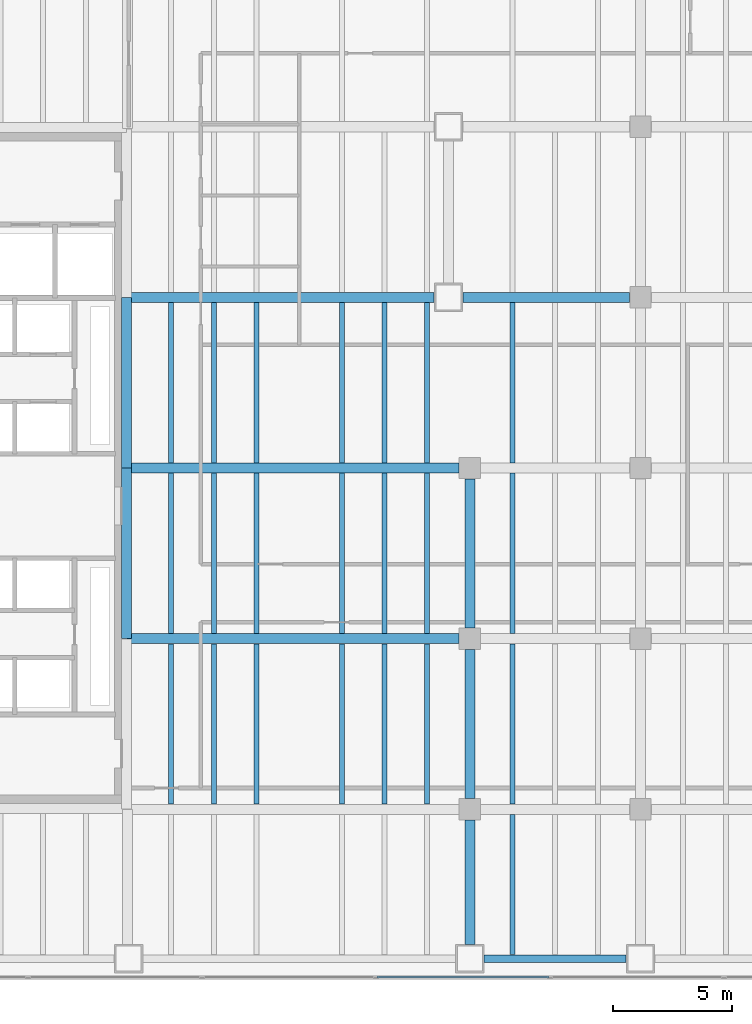
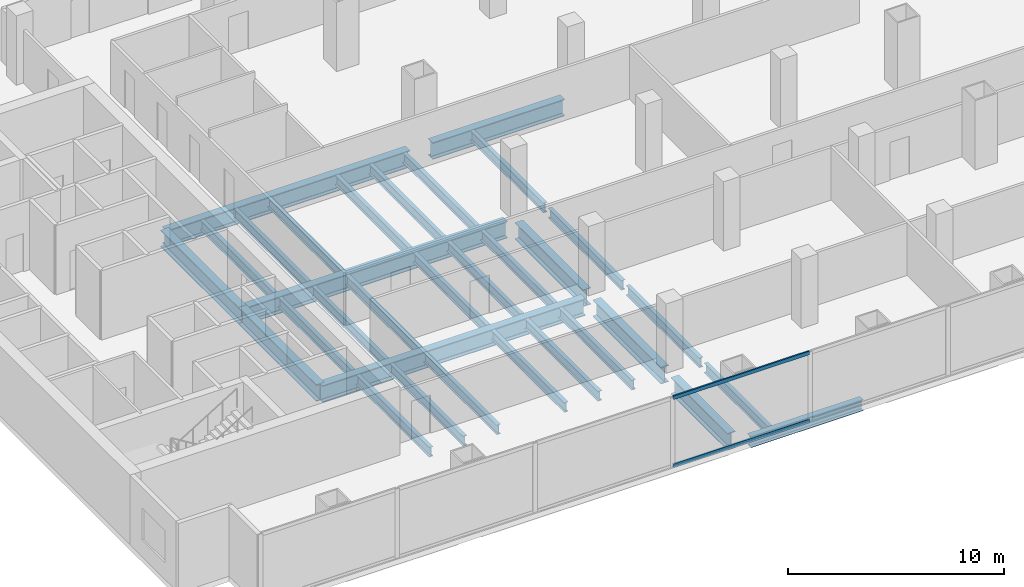
# One storey, part 4 of 29: 32 beams, 2 members, 1 element without a shape of its own.
"""IFC4 building model written with IfcOpenShell, lengths in metres."""

from ifc_helpers import new_model, si_unit, direction, frame, origin, origin_2d, place, context, subcontext, project, spatial, hollow_rectangle, i_section, extrude, material, material_profile, profile_set, type_object, element, aggregate, save


model = new_model("IFC4")

# Units and contexts
model_context = context("Model", 3, precision=1e-05, world=origin(), true_north=direction((0.0, 1.0)))
body_context = subcontext(model_context, "Body", "Model", "MODEL_VIEW")
ifc_project = project(units=[si_unit("LENGTHUNIT", "METRE"), si_unit("AREAUNIT", "SQUARE_METRE"), si_unit("VOLUMEUNIT", "CUBIC_METRE"), si_unit("PLANEANGLEUNIT", "RADIAN"), si_unit("MASSUNIT", "GRAM", prefix="KILO")], contexts=[model_context])

# Site, building, storey
site_placement = place(None, origin())
site = spatial("IfcSite", under=ifc_project, at=site_placement, CompositionType="ELEMENT")
building_placement = place(site_placement, origin())
building = spatial("IfcBuilding", under=site, at=building_placement, Name="Cobrela Telecom Tower", CompositionType="ELEMENT")
storey_placement = place(building_placement, frame((0.0, 0.0, 13.64990234375)))
storey = spatial("IfcBuildingStorey", under=building, at=storey_placement, Name="L03", CompositionType="ELEMENT", Elevation=13.64990234375)

# Beams
ifc_material_1 = material(Name="Steel ASTM A992 Grade 50", Category="steel")
ifc_material_profile_1 = material_profile(ifc_material_1, i_section(OverallWidth=0.424072265625, OverallDepth=0.947021484375, WebThickness=0.02392578125, FlangeThickness=0.042724609375, FilletRadius=0.02392578125, at=origin_2d()), Name="W36X302")
ifc_profile_set_1 = profile_set([ifc_material_profile_1], Name="Steel ASTM A992 Grade 50")
beam_type_1 = type_object("IfcBeamType", Name="BM-GIRD-01", PredefinedType="USERDEFINED", material=ifc_profile_set_1)
for number, where, z_axis, x_axis, name in (
    (1, (14.324951171875, 14.39990234375, -0.7734375), (1.0, 0.0, 0.0), (0.0, 1.0, 0.0), "L03 Primary Girder X20"),
    (2, (14.324951171875, 21.60009765625, -0.7734375), (1.0, 0.0, 0.0), (0.0, 1.0, 0.0), "L03 Primary Girder X29"),
):
    element("IfcBeam", number, at=place(storey_placement, frame(where, z_axis=z_axis, x_axis=x_axis)), inside=storey, type_object=beam_type_1, Name=name, ObjectType="GIRDER", PredefinedType="USERDEFINED", context=body_context, shape_type="SweptSolid", body=[
        extrude(i_section(OverallWidth=0.424072265625, OverallDepth=0.947021484375, WebThickness=0.02392578125, FlangeThickness=0.042724609375, FilletRadius=0.02392578125, at=origin_2d()), origin(), (0.0, 0.0, 1.0), 14.02001953125),
    ])
beam_1_placement = place(storey_placement, frame((14.324951171875, 28.800048828125, -0.7734375), z_axis=(1.0, 0.0, 0.0), x_axis=(0.0, 1.0, 0.0)))
element("IfcBeam", 3, at=beam_1_placement, inside=storey, type_object=beam_type_1, Name="L03 Primary Girder X38", ObjectType="GIRDER", PredefinedType="USERDEFINED", context=body_context, shape_type="SweptSolid", body=[
    extrude(i_section(OverallWidth=0.424072265625, OverallDepth=0.947021484375, WebThickness=0.02392578125, FlangeThickness=0.042724609375, FilletRadius=0.02392578125, at=origin_2d()), origin(), (0.0, 0.0, 1.0), 12.969970703125),
])
beam_2_placement = place(storey_placement, frame((28.5048828125, 28.800048828125, -0.7734375), z_axis=(1.0, 0.0, 0.0), x_axis=(0.0, 1.0, 0.0)))
element("IfcBeam", 4, at=beam_2_placement, inside=storey, type_object=beam_type_1, Name="L03 Primary Girder X39", ObjectType="GIRDER", PredefinedType="USERDEFINED", context=body_context, shape_type="SweptSolid", body=[
    extrude(i_section(OverallWidth=0.424072265625, OverallDepth=0.947021484375, WebThickness=0.02392578125, FlangeThickness=0.042724609375, FilletRadius=0.02392578125, at=origin_2d()), origin(), (0.0, 0.0, 1.0), 7.0400390625),
])
for number, where, z_axis, x_axis, name in (
    (5, (14.320068359375, 14.405029296875, -0.7734375), (0.0, 1.0, 0.0), (-1.0, 0.0, 0.0), "L03 Primary Girder Y62"),
    (6, (14.320068359375, 21.60498046875, -0.7734375), (0.0, 1.0, 0.0), (-1.0, 0.0, 0.0), "L03 Primary Girder Y63"),
):
    element("IfcBeam", number, at=place(storey_placement, frame(where, z_axis=z_axis, x_axis=x_axis)), inside=storey, type_object=beam_type_1, Name=name, ObjectType="GIRDER", PredefinedType="USERDEFINED", context=body_context, shape_type="SweptSolid", body=[
        extrude(i_section(OverallWidth=0.424072265625, OverallDepth=0.947021484375, WebThickness=0.02392578125, FlangeThickness=0.042724609375, FilletRadius=0.02392578125, at=origin_2d()), origin(), (0.0, 0.0, 1.0), 7.18994140625),
    ])
beam_3_placement = place(storey_placement, frame((28.800048828125, 1.5048828125, -0.7734375), z_axis=(0.0, 1.0, 0.0), x_axis=(-1.0, 0.0, 0.0)))
element("IfcBeam", 7, at=beam_3_placement, inside=storey, type_object=beam_type_1, Name="L03 Primary Girder Y68", ObjectType="GIRDER", PredefinedType="USERDEFINED", context=body_context, shape_type="SweptSolid", body=[
    extrude(i_section(OverallWidth=0.424072265625, OverallDepth=0.947021484375, WebThickness=0.02392578125, FlangeThickness=0.042724609375, FilletRadius=0.02392578125, at=origin_2d()), origin(), (0.0, 0.0, 1.0), 5.240234375),
])
for number, where, z_axis, x_axis, name in (
    (8, (28.800048828125, 7.655029296875, -0.7734375), (0.0, 1.0, 0.0), (-1.0, 0.0, 0.0), "L03 Primary Girder Y69"),
    (9, (28.800048828125, 14.85498046875, -0.7734375), (0.0, 1.0, 0.0), (-1.0, 0.0, 0.0), "L03 Primary Girder Y70"),
):
    element("IfcBeam", number, at=place(storey_placement, frame(where, z_axis=z_axis, x_axis=x_axis)), inside=storey, type_object=beam_type_1, Name=name, ObjectType="GIRDER", PredefinedType="USERDEFINED", context=body_context, shape_type="SweptSolid", body=[
        extrude(i_section(OverallWidth=0.424072265625, OverallDepth=0.947021484375, WebThickness=0.02392578125, FlangeThickness=0.042724609375, FilletRadius=0.02392578125, at=origin_2d()), origin(), (0.0, 0.0, 1.0), 6.2900390625),
    ])
ifc_material_profile_2 = material_profile(ifc_material_1, i_section(OverallWidth=0.212890625, OverallDepth=0.549072265625, WebThickness=0.0146484375, FlangeThickness=0.023681640625, FilletRadius=0.013916015625, at=origin_2d()), Name="W21X93")
ifc_profile_set_2 = profile_set([ifc_material_profile_2], Name="Steel ASTM A992 Grade 50")
beam_type_2 = type_object("IfcBeamType", Name="BM-JOIST-01", PredefinedType="JOIST", material=ifc_profile_set_2)
for number, where, z_axis, x_axis, name in (
    (10, (16.199951171875, 7.4169921875, -0.574462890625), (0.0, 1.0, 0.0), (-1.0, 0.0, 0.0), "L03 Secondary Composite Floor Beam J14"),
    (11, (16.199951171875, 14.616943359375, -0.574462890625), (0.0, 1.0, 0.0), (-1.0, 0.0, 0.0), "L03 Secondary Composite Floor Beam J15"),
    (12, (16.199951171875, 21.81689453125, -0.574462890625), (0.0, 1.0, 0.0), (-1.0, 0.0, 0.0), "L03 Secondary Composite Floor Beam J16"),
    (13, (18.0, 7.4169921875, -0.574462890625), (0.0, 1.0, 0.0), (-1.0, 0.0, 0.0), "L03 Secondary Composite Floor Beam J21"),
    (14, (18.0, 14.616943359375, -0.574462890625), (0.0, 1.0, 0.0), (-1.0, 0.0, 0.0), "L03 Secondary Composite Floor Beam J22"),
    (15, (18.0, 21.81689453125, -0.574462890625), (0.0, 1.0, 0.0), (-1.0, 0.0, 0.0), "L03 Secondary Composite Floor Beam J23"),
    (16, (19.800048828125, 7.4169921875, -0.574462890625), (0.0, 1.0, 0.0), (-1.0, 0.0, 0.0), "L03 Secondary Composite Floor Beam J28"),
    (17, (19.800048828125, 14.616943359375, -0.574462890625), (0.0, 1.0, 0.0), (-1.0, 0.0, 0.0), "L03 Secondary Composite Floor Beam J29"),
    (18, (19.800048828125, 21.81689453125, -0.574462890625), (0.0, 1.0, 0.0), (-1.0, 0.0, 0.0), "L03 Secondary Composite Floor Beam J30"),
    (19, (23.39990234375, 7.4169921875, -0.574462890625), (0.0, 1.0, 0.0), (-1.0, 0.0, 0.0), "L03 Secondary Composite Floor Beam J35"),
    (20, (23.39990234375, 14.616943359375, -0.574462890625), (0.0, 1.0, 0.0), (-1.0, 0.0, 0.0), "L03 Secondary Composite Floor Beam J36"),
    (21, (23.39990234375, 21.81689453125, -0.574462890625), (0.0, 1.0, 0.0), (-1.0, 0.0, 0.0), "L03 Secondary Composite Floor Beam J37"),
    (22, (25.199951171875, 7.4169921875, -0.574462890625), (0.0, 1.0, 0.0), (-1.0, 0.0, 0.0), "L03 Secondary Composite Floor Beam J41"),
    (23, (25.199951171875, 14.616943359375, -0.574462890625), (0.0, 1.0, 0.0), (-1.0, 0.0, 0.0), "L03 Secondary Composite Floor Beam J42"),
    (24, (25.199951171875, 21.81689453125, -0.574462890625), (0.0, 1.0, 0.0), (-1.0, 0.0, 0.0), "L03 Secondary Composite Floor Beam J43"),
    (25, (27.0, 7.4169921875, -0.574462890625), (0.0, 1.0, 0.0), (-1.0, 0.0, 0.0), "L03 Secondary Composite Floor Beam J46"),
    (26, (27.0, 14.616943359375, -0.574462890625), (0.0, 1.0, 0.0), (-1.0, 0.0, 0.0), "L03 Secondary Composite Floor Beam J47"),
    (27, (27.0, 21.81689453125, -0.574462890625), (0.0, 1.0, 0.0), (-1.0, 0.0, 0.0), "L03 Secondary Composite Floor Beam J48"),
):
    element("IfcBeam", number, at=place(storey_placement, frame(where, z_axis=z_axis, x_axis=x_axis)), inside=storey, type_object=beam_type_2, Name=name, PredefinedType="JOIST", context=body_context, shape_type="SweptSolid", body=[
        extrude(i_section(OverallWidth=0.212890625, OverallDepth=0.549072265625, WebThickness=0.0146484375, FlangeThickness=0.023681640625, FilletRadius=0.013916015625, at=origin_2d()), origin(), (0.0, 0.0, 1.0), 6.76611328125),
    ])
beam_4_placement = place(storey_placement, frame((30.60009765625, 1.069091796875, -0.574462890625), z_axis=(0.0, 1.0, 0.0), x_axis=(-1.0, 0.0, 0.0)))
element("IfcBeam", 28, at=beam_4_placement, inside=storey, type_object=beam_type_2, Name="L03 Secondary Composite Floor Beam J51", PredefinedType="JOIST", context=body_context, shape_type="SweptSolid", body=[
    extrude(i_section(OverallWidth=0.212890625, OverallDepth=0.549072265625, WebThickness=0.0146484375, FlangeThickness=0.023681640625, FilletRadius=0.013916015625, at=origin_2d()), origin(), (0.0, 0.0, 1.0), 5.913818359375),
])
for number, where, z_axis, x_axis, name in (
    (29, (30.60009765625, 7.4169921875, -0.574462890625), (0.0, 1.0, 0.0), (-1.0, 0.0, 0.0), "L03 Secondary Composite Floor Beam J52"),
    (30, (30.60009765625, 14.616943359375, -0.574462890625), (0.0, 1.0, 0.0), (-1.0, 0.0, 0.0), "L03 Secondary Composite Floor Beam J53"),
    (31, (30.60009765625, 21.81689453125, -0.574462890625), (0.0, 1.0, 0.0), (-1.0, 0.0, 0.0), "L03 Secondary Composite Floor Beam J54"),
):
    element("IfcBeam", number, at=place(storey_placement, frame(where, z_axis=z_axis, x_axis=x_axis)), inside=storey, type_object=beam_type_2, Name=name, PredefinedType="JOIST", context=body_context, shape_type="SweptSolid", body=[
        extrude(i_section(OverallWidth=0.212890625, OverallDepth=0.549072265625, WebThickness=0.0146484375, FlangeThickness=0.023681640625, FilletRadius=0.013916015625, at=origin_2d()), origin(), (0.0, 0.0, 1.0), 6.76611328125),
    ])
ifc_material_profile_3 = material_profile(ifc_material_1, i_section(OverallWidth=0.327880859375, OverallDepth=0.6220703125, WebThickness=0.015380859375, FlangeThickness=0.0244140625, FilletRadius=0.014892578125, at=origin_2d()), Name="W24X131")
ifc_profile_set_3 = profile_set([ifc_material_profile_3], Name="Steel ASTM A992 Grade 50")
beam_type_3 = type_object("IfcBeamType", Name="BM-SPAND-01", PredefinedType="SPANDREL", material=ifc_profile_set_3)
beam_5_placement = place(storey_placement, frame((29.405029296875, 0.89990234375, -0.61083984375), z_axis=(1.0, 0.0, 0.0), x_axis=(0.0, 1.0, 0.0)))
element("IfcBeam", 32, at=beam_5_placement, inside=storey, type_object=beam_type_3, Name="L03 Perimeter Spandrel X03", PredefinedType="SPANDREL", context=body_context, shape_type="SweptSolid", body=[
    extrude(i_section(OverallWidth=0.327880859375, OverallDepth=0.6220703125, WebThickness=0.015380859375, FlangeThickness=0.0244140625, FilletRadius=0.014892578125, at=origin_2d()), origin(), (0.0, 0.0, 1.0), 5.989990234375),
])

# Curtain wall, members
ifc_material_2 = material(Name="Anodized Bronze Aluminium 6063-T6", Category="aluminium")
curtain_wall_type = type_object("IfcCurtainWallType", Name="CW-SYS-CONC", PredefinedType="USERDEFINED", material=ifc_material_2)
curtain_wall_placement = place(storey_placement, origin())
curtain_wall = element("IfcCurtainWall", 33, at=curtain_wall_placement, inside=storey, type_object=curtain_wall_type, Name="L03 Unitised Bronze Curtain Wall 17", ObjectType="UNITISED CURTAIN WALL", PredefinedType="USERDEFINED")
ifc_material_profile_4 = material_profile(ifc_material_2, hollow_rectangle(XDim=0.080078125, YDim=0.199951171875, WallThickness=0.00390625, at=origin_2d()), Name="ALU 80x200x4")
ifc_profile_set_4 = profile_set([ifc_material_profile_4], Name="Anodized Bronze Aluminium 6063-T6")
member_type = type_object("IfcMemberType", Name="CW-SYS-CONC-TRN", PredefinedType="USERDEFINED", material=ifc_profile_set_4)
member_1_placement = place(storey_placement, frame((32.147216796875, 0.1201171875, 0.0400390625), z_axis=(-1.0, 0.0, 0.0), x_axis=(0.0, -1.0, 0.0)))
member_1 = element("IfcMember", 34, at=member_1_placement, type_object=member_type, Name="CW-CONC transom 8.1", ObjectType="TRANSOM", PredefinedType="USERDEFINED", context=body_context, shape_type="SweptSolid", body=[
    extrude(hollow_rectangle(XDim=0.080078125, YDim=0.199951171875, WallThickness=0.00390625, at=origin_2d()), origin(), (0.0, 0.0, 1.0), 7.26171875),
])
member_2_placement = place(storey_placement, frame((32.147216796875, 0.1201171875, 3.8701171875), z_axis=(-1.0, 0.0, 0.0), x_axis=(0.0, -1.0, 0.0)))
member_2 = element("IfcMember", 35, at=member_2_placement, type_object=member_type, Name="CW-CONC transom 8.2", ObjectType="TRANSOM", PredefinedType="USERDEFINED", context=body_context, shape_type="SweptSolid", body=[
    extrude(hollow_rectangle(XDim=0.080078125, YDim=0.199951171875, WallThickness=0.00390625, at=origin_2d()), origin(), (0.0, 0.0, 1.0), 7.26171875),
])
aggregate(curtain_wall, [member_1, member_2])

save(model, "model.ifc")
